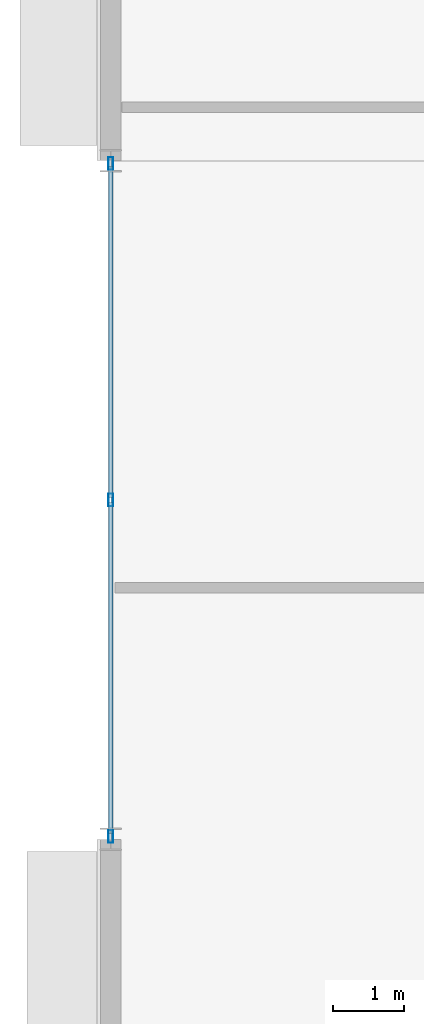
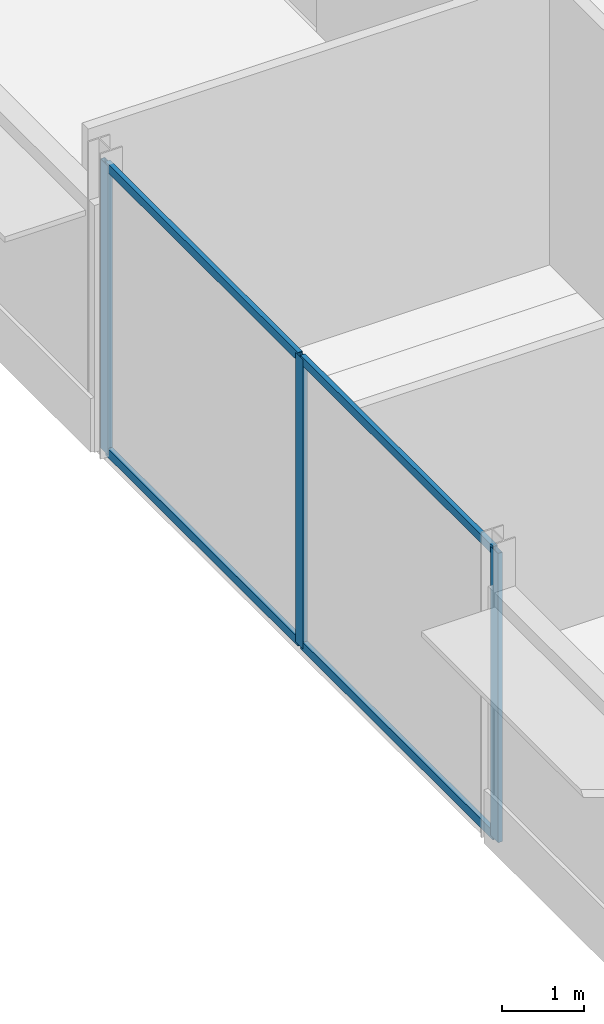
# One storey, part 5 of 10: 7 members, 1 element without a shape of its own.
"""IFC4 building model written with IfcOpenShell, lengths in metres."""

from ifc_helpers import new_model, si_unit, direction, frame, origin, origin_2d, place, context, subcontext, project, spatial, hollow_rectangle, extrude, material, material_profile, profile_set, type_object, element, aggregate, save


model = new_model("IFC4")

# Units and contexts
model_context = context("Model", 3, precision=1e-05, world=origin(), true_north=direction((0.0, 1.0)))
body_context = subcontext(model_context, "Body", "Model", "MODEL_VIEW")
ifc_project = project(units=[si_unit("LENGTHUNIT", "METRE"), si_unit("AREAUNIT", "SQUARE_METRE"), si_unit("VOLUMEUNIT", "CUBIC_METRE"), si_unit("PLANEANGLEUNIT", "RADIAN"), si_unit("MASSUNIT", "GRAM", prefix="KILO")], contexts=[model_context])

# Site, building, storey
site_placement = place(None, origin())
site = spatial("IfcSite", under=ifc_project, at=site_placement, CompositionType="ELEMENT")
building_placement = place(site_placement, origin())
building = spatial("IfcBuilding", under=site, at=building_placement, Name="Almandine Court Research Institute", CompositionType="ELEMENT")
storey_placement = place(building_placement, frame((0.0, 0.0, 41.64990234375)))
storey = spatial("IfcBuildingStorey", under=building, at=storey_placement, Name="L09", CompositionType="ELEMENT", Elevation=41.64990234375)

# Curtain wall, members
ifc_material_1 = material(Name="Unitised Curtain Wall Framing and Solar Glazing", Category="glass")
curtain_wall_type = type_object("IfcCurtainWallType", Name="CW-CWJ-11", PredefinedType="USERDEFINED", material=ifc_material_1)
curtain_wall_placement = place(storey_placement, origin())
curtain_wall = element("IfcCurtainWall", 1, at=curtain_wall_placement, inside=storey, type_object=curtain_wall_type, Name="L09 Wet Lab West Courtyard Jali Curtain Wall 4", ObjectType="SOLAR JALI SCREEN", PredefinedType="USERDEFINED")
ifc_material_2 = material(Name="Anodised Aluminium AW-6063-T6", Category="aluminium")
ifc_material_profile_1 = material_profile(ifc_material_2, hollow_rectangle(XDim=0.06494140625, YDim=0.179931640625, WallThickness=0.00390625, at=origin_2d()), Name="ALU RHS 65x180x4")
ifc_profile_set_1 = profile_set([ifc_material_profile_1], Name="Anodised Aluminium AW-6063-T6")
member_type_1 = type_object("IfcMemberType", Name="CWMul-65x180", PredefinedType="MULLION", material=ifc_profile_set_1)
member_1_placement = place(storey_placement, frame((153.60009765625, 34.83642578125, 0.0), z_axis=(0.0, 0.0, 1.0), x_axis=(-1.0, 0.0, 0.0)))
member_1 = element("IfcMember", 2, at=member_1_placement, type_object=member_type_1, Name="CWJ-11 mullion 1", PredefinedType="MULLION", context=body_context, shape_type="SweptSolid", body=[
    extrude(hollow_rectangle(XDim=0.06494140625, YDim=0.179931640625, WallThickness=0.00390625, at=origin_2d()), origin(), (0.0, 0.0, 1.0), 4.31005859375),
])
member_2_placement = place(storey_placement, frame((153.60009765625, 39.60009765625, 0.0), z_axis=(0.0, 0.0, 1.0), x_axis=(-1.0, 0.0, 0.0)))
member_2 = element("IfcMember", 3, at=member_2_placement, type_object=member_type_1, Name="CWJ-11 mullion 2", PredefinedType="MULLION", context=body_context, shape_type="SweptSolid", body=[
    extrude(hollow_rectangle(XDim=0.06494140625, YDim=0.179931640625, WallThickness=0.00390625, at=origin_2d()), origin(), (0.0, 0.0, 1.0), 4.31005859375),
])
member_3_placement = place(storey_placement, frame((153.60009765625, 44.363525390625, 0.0), z_axis=(0.0, 0.0, 1.0), x_axis=(-1.0, 0.0, 0.0)))
member_3 = element("IfcMember", 4, at=member_3_placement, type_object=member_type_1, Name="CWJ-11 mullion 3", PredefinedType="MULLION", context=body_context, shape_type="SweptSolid", body=[
    extrude(hollow_rectangle(XDim=0.06494140625, YDim=0.179931640625, WallThickness=0.00390625, at=origin_2d()), origin(), (0.0, 0.0, 1.0), 4.31005859375),
])
ifc_material_profile_2 = material_profile(ifc_material_2, hollow_rectangle(XDim=0.06494140625, YDim=0.1298828125, WallThickness=0.00390625, at=origin_2d()), Name="ALU RHS 65x130x4")
ifc_profile_set_2 = profile_set([ifc_material_profile_2], Name="Anodised Aluminium AW-6063-T6")
member_type_2 = type_object("IfcMemberType", Name="CWTrn-65x130", PredefinedType="NOTDEFINED", material=ifc_profile_set_2)
member_4_placement = place(storey_placement, frame((153.60009765625, 34.868896484375, 0.03271484375), z_axis=(0.0, 1.0, 0.0), x_axis=(-1.0, 0.0, 0.0)))
member_4 = element("IfcMember", 5, at=member_4_placement, type_object=member_type_2, Name="CWJ-11 transom 1.1", ObjectType="TRANSOM", PredefinedType="USERDEFINED", context=body_context, shape_type="SweptSolid", body=[
    extrude(hollow_rectangle(XDim=0.06494140625, YDim=0.1298828125, WallThickness=0.00390625, at=origin_2d()), origin(), (0.0, 0.0, 1.0), 4.698486328125),
])
member_5_placement = place(storey_placement, frame((153.60009765625, 34.868896484375, 4.277587890625), z_axis=(0.0, 1.0, 0.0), x_axis=(-1.0, 0.0, 0.0)))
member_5 = element("IfcMember", 6, at=member_5_placement, type_object=member_type_2, Name="CWJ-11 transom 1.2", ObjectType="TRANSOM", PredefinedType="USERDEFINED", context=body_context, shape_type="SweptSolid", body=[
    extrude(hollow_rectangle(XDim=0.06494140625, YDim=0.1298828125, WallThickness=0.00390625, at=origin_2d()), origin(), (0.0, 0.0, 1.0), 4.698486328125),
])
member_6_placement = place(storey_placement, frame((153.60009765625, 39.632568359375, 0.03271484375), z_axis=(0.0, 1.0, 0.0), x_axis=(-1.0, 0.0, 0.0)))
member_6 = element("IfcMember", 7, at=member_6_placement, type_object=member_type_2, Name="CWJ-11 transom 2.1", ObjectType="TRANSOM", PredefinedType="USERDEFINED", context=body_context, shape_type="SweptSolid", body=[
    extrude(hollow_rectangle(XDim=0.06494140625, YDim=0.1298828125, WallThickness=0.00390625, at=origin_2d()), origin(), (0.0, 0.0, 1.0), 4.698486328125),
])
member_7_placement = place(storey_placement, frame((153.60009765625, 39.632568359375, 4.277587890625), z_axis=(0.0, 1.0, 0.0), x_axis=(-1.0, 0.0, 0.0)))
member_7 = element("IfcMember", 8, at=member_7_placement, type_object=member_type_2, Name="CWJ-11 transom 2.2", ObjectType="TRANSOM", PredefinedType="USERDEFINED", context=body_context, shape_type="SweptSolid", body=[
    extrude(hollow_rectangle(XDim=0.06494140625, YDim=0.1298828125, WallThickness=0.00390625, at=origin_2d()), origin(), (0.0, 0.0, 1.0), 4.698486328125),
])
aggregate(curtain_wall, [member_1, member_2, member_3, member_4, member_5, member_6, member_7])

save(model, "model.ifc")
